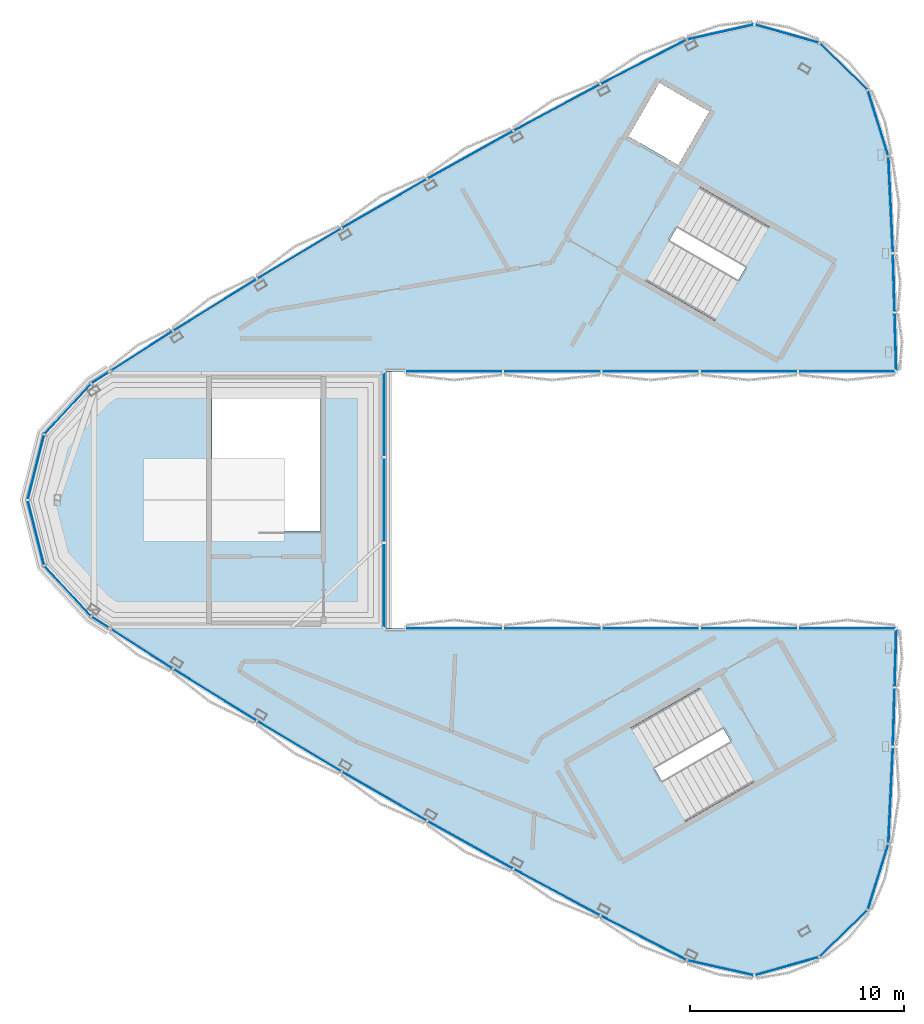
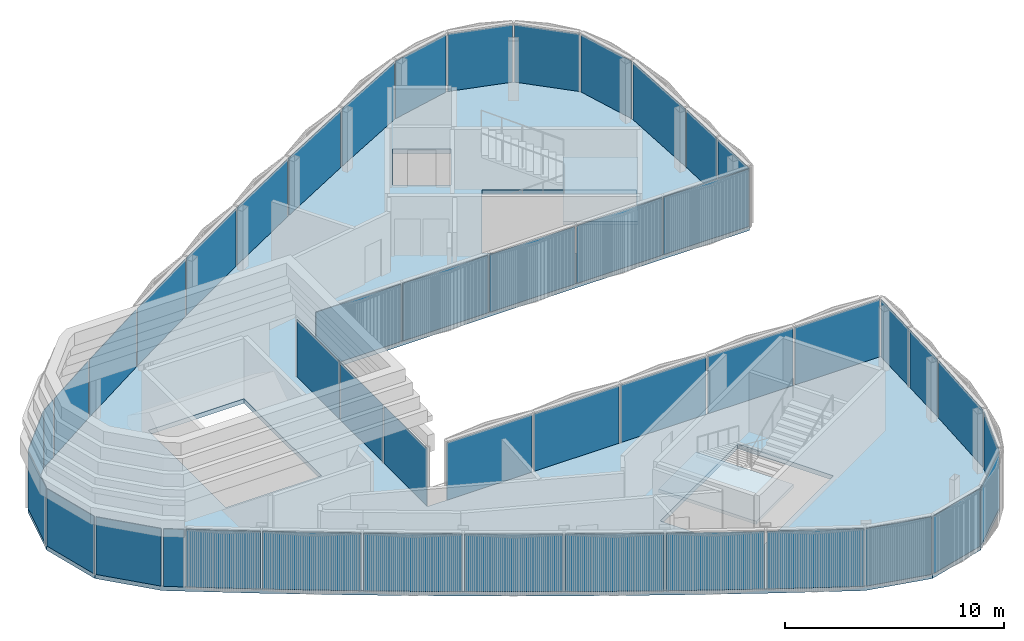
# One storey, part 5 of 16: 47 plates, 3 slabs, 5 elements without a shape of their own.
"""IFC4 building model written with IfcOpenShell, lengths in metres."""

from ifc_helpers import new_model, si_unit, direction, frame, origin, origin_2d, place, context, subcontext, project, spatial, polyline, rectangle, outline, extrude, material, layer, layer_set, type_object, element, aggregate, save


model = new_model("IFC4")

# Units and contexts
model_context = context("Model", 3, precision=1e-05, world=origin(), true_north=direction((0.0, 1.0)))
body_context = subcontext(model_context, "Body", "Model", "MODEL_VIEW")
ifc_project = project(units=[si_unit("LENGTHUNIT", "METRE"), si_unit("AREAUNIT", "SQUARE_METRE"), si_unit("VOLUMEUNIT", "CUBIC_METRE"), si_unit("PLANEANGLEUNIT", "RADIAN"), si_unit("MASSUNIT", "GRAM", prefix="KILO")], contexts=[model_context])

# Site, building, storey
site_placement = place(None, origin())
site = spatial("IfcSite", under=ifc_project, at=site_placement, CompositionType="ELEMENT")
building_placement = place(site_placement, origin())
building = spatial("IfcBuilding", under=site, at=building_placement, Name="Tamra Quay Hotel Tower", CompositionType="ELEMENT")
storey_placement = place(building_placement, frame((0.0, 0.0, 327.800048828125)))
storey = spatial("IfcBuildingStorey", under=building, at=storey_placement, Name="Roof crown 3", CompositionType="ELEMENT", Elevation=327.800048828125)

# Stair, slab
ifc_material_1 = material(Name="Exit stair 2200 24 risers 150.0 going 342")
stair_type = type_object("IfcStairType", Name="Exit stair 2200 24 risers 150.0 going 342", PredefinedType="HALF_TURN_STAIR", material=ifc_material_1)
stair_1_placement = place(storey_placement, origin())
stair_1 = element("IfcStair", 1, at=stair_1_placement, inside=storey, type_object=stair_type, Name="Roof crown 3 Exit stair ST1", PredefinedType="HALF_TURN_STAIR")
ifc_material_2 = material(Name="Concrete M70", Category="concrete")
ifc_layer_1 = layer(ifc_material_2, 0.175048828125)
ifc_layer_set_1 = layer_set([ifc_layer_1], Name="Concrete M70 stair landing 180")
slab_type_1 = type_object("IfcSlabType", Name="Concrete M70 stair landing 180", PredefinedType="LANDING", material=ifc_layer_set_1)
slab_1_placement = place(storey_placement, frame((0.0, 0.0, 1.625)))
slab_1 = element("IfcSlab", 2, at=slab_1_placement, type_object=slab_type_1, Name="ST1 landing 1", PredefinedType="LANDING", context=body_context, shape_type="SweptSolid", body=[
    extrude(outline(polyline([(7.425048828125, 8.336669921875), (10.385009765625, 6.627685546875), (12.964599609375, 11.095458984375), (10.00439453125, 12.804443359375), (7.425048828125, 8.336669921875)])), origin(), (0.0, 0.0, 1.0), 0.175048828125),
])
aggregate(stair_1, [slab_1])

stair_2_placement = place(storey_placement, origin())
stair_2 = element("IfcStair", 3, at=stair_2_placement, inside=storey, type_object=stair_type, Name="Roof crown 3 Exit stair ST2", PredefinedType="HALF_TURN_STAIR")
slab_2_placement = place(storey_placement, frame((0.0, 0.0, 1.625)))
slab_2 = element("IfcSlab", 4, at=slab_2_placement, type_object=slab_type_1, Name="ST2 landing 1", PredefinedType="LANDING", context=body_context, shape_type="SweptSolid", body=[
    extrude(outline(polyline([(3.50732421875, -10.5986328125), (0.547119140625, -12.3076171875), (3.126708984375, -16.775390625), (6.086669921875, -15.06640625), (3.50732421875, -10.5986328125)])), origin(), (0.0, 0.0, 1.0), 0.175048828125),
])
aggregate(stair_2, [slab_2])

# Slab
ifc_material_3 = material(Name="Concrete M60", Category="concrete")
ifc_layer_2 = layer(ifc_material_3, 0.25)
ifc_layer_set_2 = layer_set([ifc_layer_2], Name="FLOOR SLAB PT 250")
slab_type_2 = type_object("IfcSlabType", Name="FLOOR SLAB PT 250", PredefinedType="FLOOR", material=ifc_layer_set_2)
slab_3_placement = place(storey_placement, frame((0.0, 0.0, -0.25)))
element("IfcSlab", 5, at=slab_3_placement, inside=storey, type_object=slab_type_2, Name="SLAB-Roofcrown3", PredefinedType="FLOOR", context=body_context, shape_type="SweptSolid", body=[
    extrude(outline(polyline([(15.555419921875, -16.063720703125), (14.5908203125, -19.149169921875), (12.3271484375, -21.351318359375), (9.288330078125, -22.21044921875), (6.134033203125, -21.503173828125), (2.10009765625, -19.419677734375), (-1.96435546875, -17.239501953125), (-5.99462890625, -14.995849609375), (-9.989501953125, -12.689453125), (-13.947509765625, -10.321044921875), (-17.867919921875, -7.89111328125), (-20.815673828125, -6.0), (-21.689208984375, -5.439453125), (-23.879150390625, -3.061279296875), (-24.654296875, 0.0), (-23.879150390625, 3.061279296875), (-21.689208984375, 5.439453125), (-20.815673828125, 6.0), (-17.867919921875, 7.89111328125), (-13.947509765625, 10.321044921875), (-9.989501953125, 12.689453125), (-5.99462890625, 14.995849609375), (-1.96435546875, 17.239501953125), (2.10009765625, 19.419677734375), (6.134033203125, 21.503173828125), (9.288330078125, 22.21044921875), (12.3271484375, 21.351318359375), (14.5908203125, 19.149169921875), (15.555419921875, 16.063720703125), (15.767822265625, 11.528564453125), (15.912109375, 6.91845703125), (15.926513671875, 6.0), (-8.0, 6.0), (-8.0, -6.0), (15.926513671875, -6.0), (15.912109375, -6.91845703125), (15.767822265625, -11.528564453125), (15.555419921875, -16.063720703125)]), holes=[polyline([(9.2783203125, -13.160400390625), (6.75390625, -8.78759765625), (0.622314453125, -12.32763671875), (3.146728515625, -16.7001953125), (9.2783203125, -13.160400390625)]), polyline([(-16.036376953125, -1.455078125), (-10.9873046875, -1.455078125), (-10.9873046875, 5.625), (-16.036376953125, 5.625), (-16.036376953125, -1.455078125)]), polyline([(6.758056640625, 14.615478515625), (4.2333984375, 10.242919921875), (10.364990234375, 6.702880859375), (12.889404296875, 11.075439453125), (6.758056640625, 14.615478515625)]), polyline([(4.8515625, 19.4931640625), (3.406494140625, 16.990234375), (5.736083984375, 15.645263671875), (7.18115234375, 18.148193359375), (4.8515625, 19.4931640625)])]), origin(), (0.0, 0.0, 1.0), 0.25),
])

# Curtain wall, plates
ifc_material_4 = material(Name="Aluminium 6063 anodised dark grey", Category="aluminium")
curtain_wall_type = type_object("IfcCurtainWallType", Name="CW6 CURTAIN WALL", PredefinedType="NOTDEFINED", material=ifc_material_4)
curtain_wall_1_placement = place(storey_placement, origin())
curtain_wall_1 = element("IfcCurtainWall", 6, at=curtain_wall_1_placement, inside=storey, type_object=curtain_wall_type, Name="CW6 lantern A face Roof crown 3", PredefinedType="NOTDEFINED")
ifc_material_5 = material(Name="Glass clear laminated low-iron", Category="glass")
ifc_layer_3 = layer(ifc_material_5, 0.030029296875)
ifc_layer_set_3 = layer_set([ifc_layer_3], Name="GLASS PANEL CW6")
plate_type = type_object("IfcPlateType", Name="GLASS PANEL CW6", PredefinedType="CURTAIN_PANEL", material=ifc_layer_set_3)
plate_1_placement = place(storey_placement, frame((15.66162109375, 13.796142578125, 0.0), z_axis=(0.0, 0.0, 1.0), x_axis=(-0.046821305973, 0.998903281257, 0.0)))
plate_1 = element("IfcPlate", 7, at=plate_1_placement, type_object=plate_type, Name="CW6 glass Roof crown 3.A.1", PredefinedType="CURTAIN_PANEL", context=body_context, shape_type="SweptSolid", body=[
    extrude(rectangle(XDim=4.440185546875, YDim=0.030029296875, at=origin_2d()), origin(), (0.0, 0.0, 1.0), 3.2099609375),
])
plate_2_placement = place(storey_placement, frame((15.072998046875, 17.6064453125, 0.0), z_axis=(0.0, 0.0, 1.0), x_axis=(-0.29839239288, 0.954443282689, 0.0)))
plate_2 = element("IfcPlate", 8, at=plate_2_placement, type_object=plate_type, Name="CW6 glass Roof crown 3.A.2", PredefinedType="CURTAIN_PANEL", context=body_context, shape_type="SweptSolid", body=[
    extrude(rectangle(XDim=3.132568359375, YDim=0.030029296875, at=origin_2d()), origin(), (0.0, 0.0, 1.0), 3.2099609375),
])
plate_3_placement = place(storey_placement, frame((13.458984375, 20.250244140625, 0.0), z_axis=(0.0, 0.0, 1.0), x_axis=(-0.716752699854, 0.69732744622, 0.0)))
plate_3 = element("IfcPlate", 9, at=plate_3_placement, type_object=plate_type, Name="CW6 glass Roof crown 3.A.3", PredefinedType="CURTAIN_PANEL", context=body_context, shape_type="SweptSolid", body=[
    extrude(rectangle(XDim=3.05810546875, YDim=0.030029296875, at=origin_2d()), origin(), (0.0, 0.0, 1.0), 3.2099609375),
])
plate_4_placement = place(storey_placement, frame((10.807861328125, 21.781005859375, 0.0), z_axis=(0.0, 0.0, 1.0), x_axis=(-0.96227963311, 0.272062323195, 0.0)))
plate_4 = element("IfcPlate", 10, at=plate_4_placement, type_object=plate_type, Name="CW6 glass Roof crown 3.A.4", PredefinedType="CURTAIN_PANEL", context=body_context, shape_type="SweptSolid", body=[
    extrude(rectangle(XDim=3.05810546875, YDim=0.030029296875, at=origin_2d()), origin(), (0.0, 0.0, 1.0), 3.2099609375),
])
plate_5_placement = place(storey_placement, frame((7.711181640625, 21.85693359375, 0.0), z_axis=(0.0, 0.0, 1.0), x_axis=(-0.975768325721, -0.218806248814, 0.0)))
plate_5 = element("IfcPlate", 11, at=plate_5_placement, type_object=plate_type, Name="CW6 glass Roof crown 3.A.5", PredefinedType="CURTAIN_PANEL", context=body_context, shape_type="SweptSolid", body=[
    extrude(rectangle(XDim=3.132568359375, YDim=0.030029296875, at=origin_2d()), origin(), (0.0, 0.0, 1.0), 3.2099609375),
])
plate_6_placement = place(storey_placement, frame((4.116943359375, 20.46142578125, 0.0), z_axis=(0.0, 0.0, 1.0), x_axis=(-0.888486270479, -0.458903200218, 0.0)))
plate_6 = element("IfcPlate", 12, at=plate_6_placement, type_object=plate_type, Name="CW6 glass Roof crown 3.A.6", PredefinedType="CURTAIN_PANEL", context=body_context, shape_type="SweptSolid", body=[
    extrude(rectangle(XDim=4.440185546875, YDim=0.030029296875, at=origin_2d()), origin(), (0.0, 0.0, 1.0), 3.2099609375),
])
plate_7_placement = place(storey_placement, frame((0.06787109375, 18.32958984375, 0.0), z_axis=(0.0, 0.0, 1.0), x_axis=(-0.881223582111, -0.472699691486, 0.0)))
plate_7 = element("IfcPlate", 13, at=plate_7_placement, type_object=plate_type, Name="CW6 glass Roof crown 3.A.7", PredefinedType="CURTAIN_PANEL", context=body_context, shape_type="SweptSolid", body=[
    extrude(rectangle(XDim=4.51220703125, YDim=0.030029296875, at=origin_2d()), origin(), (0.0, 0.0, 1.0), 3.2099609375),
])
plate_8_placement = place(storey_placement, frame((-3.9794921875, 16.11767578125, 0.0), z_axis=(0.0, 0.0, 1.0), x_axis=(-0.873735522847, -0.486401311794, 0.0)))
plate_8 = element("IfcPlate", 14, at=plate_8_placement, type_object=plate_type, Name="CW6 glass Roof crown 3.A.8", PredefinedType="CURTAIN_PANEL", context=body_context, shape_type="SweptSolid", body=[
    extrude(rectangle(XDim=4.5126953125, YDim=0.030029296875, at=origin_2d()), origin(), (0.0, 0.0, 1.0), 3.2099609375),
])
plate_9_placement = place(storey_placement, frame((-7.991943359375, 13.842529296875, 0.0), z_axis=(0.0, 0.0, 1.0), x_axis=(-0.866025403784, -0.5, 0.0)))
plate_9 = element("IfcPlate", 15, at=plate_9_placement, type_object=plate_type, Name="CW6 glass Roof crown 3.A.9", PredefinedType="CURTAIN_PANEL", context=body_context, shape_type="SweptSolid", body=[
    extrude(rectangle(XDim=4.5126953125, YDim=0.030029296875, at=origin_2d()), origin(), (0.0, 0.0, 1.0), 3.2099609375),
])
plate_10_placement = place(storey_placement, frame((-11.968505859375, 11.505126953125, 0.0), z_axis=(0.0, 0.0, 1.0), x_axis=(-0.858103653871, -0.513476503078, 0.0)))
plate_10 = element("IfcPlate", 16, at=plate_10_placement, type_object=plate_type, Name="CW6 glass Roof crown 3.A.10", PredefinedType="CURTAIN_PANEL", context=body_context, shape_type="SweptSolid", body=[
    extrude(rectangle(XDim=4.5126953125, YDim=0.030029296875, at=origin_2d()), origin(), (0.0, 0.0, 1.0), 3.2099609375),
])
plate_11_placement = place(storey_placement, frame((-15.90771484375, 9.10595703125, 0.0), z_axis=(0.0, 0.0, 1.0), x_axis=(-0.849981732244, -0.526812162779, 0.0)))
plate_11 = element("IfcPlate", 17, at=plate_11_placement, type_object=plate_type, Name="CW6 glass Roof crown 3.A.11", PredefinedType="CURTAIN_PANEL", context=body_context, shape_type="SweptSolid", body=[
    extrude(rectangle(XDim=4.51220703125, YDim=0.030029296875, at=origin_2d()), origin(), (0.0, 0.0, 1.0), 3.2099609375),
])
plate_12_placement = place(storey_placement, frame((-19.341796875, 6.945556640625, 0.0), z_axis=(0.0, 0.0, 1.0), x_axis=(-0.841664964506, -0.54000008104, 0.0)))
plate_12 = element("IfcPlate", 18, at=plate_12_placement, type_object=plate_type, Name="CW6 glass Roof crown 3.A.12", PredefinedType="CURTAIN_PANEL", context=body_context, shape_type="SweptSolid", body=[
    extrude(rectangle(XDim=3.402099609375, YDim=0.030029296875, at=origin_2d()), origin(), (0.0, 0.0, 1.0), 3.2099609375),
])
plate_13_placement = place(storey_placement, frame((-4.740966796875, 6.0, 0.0), z_axis=(0.0, 0.0, 1.0), x_axis=(1.0, 0.0, 0.0)))
plate_13 = element("IfcPlate", 19, at=plate_13_placement, type_object=plate_type, Name="CW6 glass Roof crown 3.A.13", PredefinedType="CURTAIN_PANEL", context=body_context, shape_type="SweptSolid", body=[
    extrude(rectangle(XDim=4.49267578125, YDim=0.030029296875, at=origin_2d()), origin(), (0.0, 0.0, 1.0), 3.2099609375),
])
plate_14_placement = place(storey_placement, frame((-0.148193359375, 6.0, 0.0), z_axis=(0.0, 0.0, 1.0), x_axis=(1.0, 0.0, 0.0)))
plate_14 = element("IfcPlate", 20, at=plate_14_placement, type_object=plate_type, Name="CW6 glass Roof crown 3.A.14", PredefinedType="CURTAIN_PANEL", context=body_context, shape_type="SweptSolid", body=[
    extrude(rectangle(XDim=4.49267578125, YDim=0.030029296875, at=origin_2d()), origin(), (0.0, 0.0, 1.0), 3.2099609375),
])
plate_15_placement = place(storey_placement, frame((4.444580078125, 6.0, 0.0), z_axis=(0.0, 0.0, 1.0), x_axis=(1.0, 0.0, 0.0)))
plate_15 = element("IfcPlate", 21, at=plate_15_placement, type_object=plate_type, Name="CW6 glass Roof crown 3.A.15", PredefinedType="CURTAIN_PANEL", context=body_context, shape_type="SweptSolid", body=[
    extrude(rectangle(XDim=4.49267578125, YDim=0.030029296875, at=origin_2d()), origin(), (0.0, 0.0, 1.0), 3.2099609375),
])
plate_16_placement = place(storey_placement, frame((9.037353515625, 6.0, 0.0), z_axis=(0.0, 0.0, 1.0), x_axis=(1.0, 0.0, 0.0)))
plate_16 = element("IfcPlate", 22, at=plate_16_placement, type_object=plate_type, Name="CW6 glass Roof crown 3.A.16", PredefinedType="CURTAIN_PANEL", context=body_context, shape_type="SweptSolid", body=[
    extrude(rectangle(XDim=4.49267578125, YDim=0.030029296875, at=origin_2d()), origin(), (0.0, 0.0, 1.0), 3.2099609375),
])
plate_17_placement = place(storey_placement, frame((13.6298828125, 6.0, 0.0), z_axis=(0.0, 0.0, 1.0), x_axis=(1.0, 0.0, 0.0)))
plate_17 = element("IfcPlate", 23, at=plate_17_placement, type_object=plate_type, Name="CW6 glass Roof crown 3.A.17", PredefinedType="CURTAIN_PANEL", context=body_context, shape_type="SweptSolid", body=[
    extrude(rectangle(XDim=4.49267578125, YDim=0.030029296875, at=origin_2d()), origin(), (0.0, 0.0, 1.0), 3.2099609375),
])
plate_18_placement = place(storey_placement, frame((15.88671875, 7.382080078125, 0.0), z_axis=(0.0, 0.0, 1.0), x_axis=(-0.028649831581, 0.999589509324, 0.0)))
plate_18 = element("IfcPlate", 24, at=plate_18_placement, type_object=plate_type, Name="CW6 glass Roof crown 3.A.18", PredefinedType="CURTAIN_PANEL", context=body_context, shape_type="SweptSolid", body=[
    extrude(rectangle(XDim=2.665283203125, YDim=0.030029296875, at=origin_2d()), origin(), (0.0, 0.0, 1.0), 3.2099609375),
])
plate_19_placement = place(storey_placement, frame((15.8076171875, 10.146484375, 0.0), z_axis=(0.0, 0.0, 1.0), x_axis=(-0.028649831581, 0.999589509324, 0.0)))
plate_19 = element("IfcPlate", 25, at=plate_19_placement, type_object=plate_type, Name="CW6 glass Roof crown 3.A.19", PredefinedType="CURTAIN_PANEL", context=body_context, shape_type="SweptSolid", body=[
    extrude(rectangle(XDim=2.665283203125, YDim=0.030029296875, at=origin_2d()), origin(), (0.0, 0.0, 1.0), 3.2099609375),
])
aggregate(curtain_wall_1, [plate_1, plate_2, plate_3, plate_4, plate_5, plate_6, plate_7, plate_8, plate_9, plate_10, plate_11, plate_12, plate_13, plate_14, plate_15, plate_16, plate_17, plate_18, plate_19])

curtain_wall_2_placement = place(storey_placement, origin())
curtain_wall_2 = element("IfcCurtainWall", 26, at=curtain_wall_2_placement, inside=storey, type_object=curtain_wall_type, Name="CW6 lantern B face Roof crown 3", PredefinedType="NOTDEFINED")
plate_20_placement = place(storey_placement, frame((13.6298828125, -6.0, 0.0), z_axis=(0.0, 0.0, 1.0), x_axis=(-1.0, 0.0, 0.0)))
plate_20 = element("IfcPlate", 27, at=plate_20_placement, type_object=plate_type, Name="CW6 glass Roof crown 3.B.1", PredefinedType="CURTAIN_PANEL", context=body_context, shape_type="SweptSolid", body=[
    extrude(rectangle(XDim=4.49267578125, YDim=0.030029296875, at=origin_2d()), origin(), (0.0, 0.0, 1.0), 3.2099609375),
])
plate_21_placement = place(storey_placement, frame((9.037353515625, -6.0, 0.0), z_axis=(0.0, 0.0, 1.0), x_axis=(-1.0, 0.0, 0.0)))
plate_21 = element("IfcPlate", 28, at=plate_21_placement, type_object=plate_type, Name="CW6 glass Roof crown 3.B.2", PredefinedType="CURTAIN_PANEL", context=body_context, shape_type="SweptSolid", body=[
    extrude(rectangle(XDim=4.49267578125, YDim=0.030029296875, at=origin_2d()), origin(), (0.0, 0.0, 1.0), 3.2099609375),
])
plate_22_placement = place(storey_placement, frame((4.444580078125, -6.0, 0.0), z_axis=(0.0, 0.0, 1.0), x_axis=(-1.0, 0.0, 0.0)))
plate_22 = element("IfcPlate", 29, at=plate_22_placement, type_object=plate_type, Name="CW6 glass Roof crown 3.B.3", PredefinedType="CURTAIN_PANEL", context=body_context, shape_type="SweptSolid", body=[
    extrude(rectangle(XDim=4.49267578125, YDim=0.030029296875, at=origin_2d()), origin(), (0.0, 0.0, 1.0), 3.2099609375),
])
plate_23_placement = place(storey_placement, frame((-0.148193359375, -6.0, 0.0), z_axis=(0.0, 0.0, 1.0), x_axis=(-1.0, 0.0, 0.0)))
plate_23 = element("IfcPlate", 30, at=plate_23_placement, type_object=plate_type, Name="CW6 glass Roof crown 3.B.4", PredefinedType="CURTAIN_PANEL", context=body_context, shape_type="SweptSolid", body=[
    extrude(rectangle(XDim=4.49267578125, YDim=0.030029296875, at=origin_2d()), origin(), (0.0, 0.0, 1.0), 3.2099609375),
])
plate_24_placement = place(storey_placement, frame((-4.740966796875, -6.0, 0.0), z_axis=(0.0, 0.0, 1.0), x_axis=(-1.0, 0.0, 0.0)))
plate_24 = element("IfcPlate", 31, at=plate_24_placement, type_object=plate_type, Name="CW6 glass Roof crown 3.B.5", PredefinedType="CURTAIN_PANEL", context=body_context, shape_type="SweptSolid", body=[
    extrude(rectangle(XDim=4.49267578125, YDim=0.030029296875, at=origin_2d()), origin(), (0.0, 0.0, 1.0), 3.2099609375),
])
plate_25_placement = place(storey_placement, frame((-19.341796875, -6.945556640625, 0.0), z_axis=(0.0, 0.0, 1.0), x_axis=(0.841664964506, -0.54000008104, 0.0)))
plate_25 = element("IfcPlate", 32, at=plate_25_placement, type_object=plate_type, Name="CW6 glass Roof crown 3.B.6", PredefinedType="CURTAIN_PANEL", context=body_context, shape_type="SweptSolid", body=[
    extrude(rectangle(XDim=3.402099609375, YDim=0.030029296875, at=origin_2d()), origin(), (0.0, 0.0, 1.0), 3.2099609375),
])
plate_26_placement = place(storey_placement, frame((-15.90771484375, -9.10595703125, 0.0), z_axis=(0.0, 0.0, 1.0), x_axis=(0.849981732244, -0.526812162779, 0.0)))
plate_26 = element("IfcPlate", 33, at=plate_26_placement, type_object=plate_type, Name="CW6 glass Roof crown 3.B.7", PredefinedType="CURTAIN_PANEL", context=body_context, shape_type="SweptSolid", body=[
    extrude(rectangle(XDim=4.51220703125, YDim=0.030029296875, at=origin_2d()), origin(), (0.0, 0.0, 1.0), 3.2099609375),
])
plate_27_placement = place(storey_placement, frame((-11.968505859375, -11.505126953125, 0.0), z_axis=(0.0, 0.0, 1.0), x_axis=(0.858103653871, -0.513476503078, 0.0)))
plate_27 = element("IfcPlate", 34, at=plate_27_placement, type_object=plate_type, Name="CW6 glass Roof crown 3.B.8", PredefinedType="CURTAIN_PANEL", context=body_context, shape_type="SweptSolid", body=[
    extrude(rectangle(XDim=4.5126953125, YDim=0.030029296875, at=origin_2d()), origin(), (0.0, 0.0, 1.0), 3.2099609375),
])
plate_28_placement = place(storey_placement, frame((-7.991943359375, -13.842529296875, 0.0), z_axis=(0.0, 0.0, 1.0), x_axis=(0.866025403784, -0.5, 0.0)))
plate_28 = element("IfcPlate", 35, at=plate_28_placement, type_object=plate_type, Name="CW6 glass Roof crown 3.B.9", PredefinedType="CURTAIN_PANEL", context=body_context, shape_type="SweptSolid", body=[
    extrude(rectangle(XDim=4.5126953125, YDim=0.030029296875, at=origin_2d()), origin(), (0.0, 0.0, 1.0), 3.2099609375),
])
plate_29_placement = place(storey_placement, frame((-3.9794921875, -16.11767578125, 0.0), z_axis=(0.0, 0.0, 1.0), x_axis=(0.873735522847, -0.486401311794, 0.0)))
plate_29 = element("IfcPlate", 36, at=plate_29_placement, type_object=plate_type, Name="CW6 glass Roof crown 3.B.10", PredefinedType="CURTAIN_PANEL", context=body_context, shape_type="SweptSolid", body=[
    extrude(rectangle(XDim=4.5126953125, YDim=0.030029296875, at=origin_2d()), origin(), (0.0, 0.0, 1.0), 3.2099609375),
])
plate_30_placement = place(storey_placement, frame((0.06787109375, -18.32958984375, 0.0), z_axis=(0.0, 0.0, 1.0), x_axis=(0.881223582111, -0.472699691486, 0.0)))
plate_30 = element("IfcPlate", 37, at=plate_30_placement, type_object=plate_type, Name="CW6 glass Roof crown 3.B.11", PredefinedType="CURTAIN_PANEL", context=body_context, shape_type="SweptSolid", body=[
    extrude(rectangle(XDim=4.51220703125, YDim=0.030029296875, at=origin_2d()), origin(), (0.0, 0.0, 1.0), 3.2099609375),
])
plate_31_placement = place(storey_placement, frame((4.116943359375, -20.46142578125, 0.0), z_axis=(0.0, 0.0, 1.0), x_axis=(0.888486270479, -0.458903200218, 0.0)))
plate_31 = element("IfcPlate", 38, at=plate_31_placement, type_object=plate_type, Name="CW6 glass Roof crown 3.B.12", PredefinedType="CURTAIN_PANEL", context=body_context, shape_type="SweptSolid", body=[
    extrude(rectangle(XDim=4.440185546875, YDim=0.030029296875, at=origin_2d()), origin(), (0.0, 0.0, 1.0), 3.2099609375),
])
plate_32_placement = place(storey_placement, frame((7.711181640625, -21.85693359375, 0.0), z_axis=(0.0, 0.0, 1.0), x_axis=(0.975768325721, -0.218806248814, 0.0)))
plate_32 = element("IfcPlate", 39, at=plate_32_placement, type_object=plate_type, Name="CW6 glass Roof crown 3.B.13", PredefinedType="CURTAIN_PANEL", context=body_context, shape_type="SweptSolid", body=[
    extrude(rectangle(XDim=3.132568359375, YDim=0.030029296875, at=origin_2d()), origin(), (0.0, 0.0, 1.0), 3.2099609375),
])
plate_33_placement = place(storey_placement, frame((10.807861328125, -21.781005859375, 0.0), z_axis=(0.0, 0.0, 1.0), x_axis=(0.96227963311, 0.272062323195, 0.0)))
plate_33 = element("IfcPlate", 40, at=plate_33_placement, type_object=plate_type, Name="CW6 glass Roof crown 3.B.14", PredefinedType="CURTAIN_PANEL", context=body_context, shape_type="SweptSolid", body=[
    extrude(rectangle(XDim=3.05810546875, YDim=0.030029296875, at=origin_2d()), origin(), (0.0, 0.0, 1.0), 3.2099609375),
])
plate_34_placement = place(storey_placement, frame((13.458984375, -20.250244140625, 0.0), z_axis=(0.0, 0.0, 1.0), x_axis=(0.716752699854, 0.69732744622, 0.0)))
plate_34 = element("IfcPlate", 41, at=plate_34_placement, type_object=plate_type, Name="CW6 glass Roof crown 3.B.15", PredefinedType="CURTAIN_PANEL", context=body_context, shape_type="SweptSolid", body=[
    extrude(rectangle(XDim=3.05810546875, YDim=0.030029296875, at=origin_2d()), origin(), (0.0, 0.0, 1.0), 3.2099609375),
])
plate_35_placement = place(storey_placement, frame((15.072998046875, -17.6064453125, 0.0), z_axis=(0.0, 0.0, 1.0), x_axis=(0.29839239288, 0.954443282689, 0.0)))
plate_35 = element("IfcPlate", 42, at=plate_35_placement, type_object=plate_type, Name="CW6 glass Roof crown 3.B.16", PredefinedType="CURTAIN_PANEL", context=body_context, shape_type="SweptSolid", body=[
    extrude(rectangle(XDim=3.132568359375, YDim=0.030029296875, at=origin_2d()), origin(), (0.0, 0.0, 1.0), 3.2099609375),
])
plate_36_placement = place(storey_placement, frame((15.66162109375, -13.796142578125, 0.0), z_axis=(0.0, 0.0, 1.0), x_axis=(0.046821305973, 0.998903281257, 0.0)))
plate_36 = element("IfcPlate", 43, at=plate_36_placement, type_object=plate_type, Name="CW6 glass Roof crown 3.B.17", PredefinedType="CURTAIN_PANEL", context=body_context, shape_type="SweptSolid", body=[
    extrude(rectangle(XDim=4.440185546875, YDim=0.030029296875, at=origin_2d()), origin(), (0.0, 0.0, 1.0), 3.2099609375),
])
plate_37_placement = place(storey_placement, frame((15.8076171875, -10.146484375, 0.0), z_axis=(0.0, 0.0, 1.0), x_axis=(0.028649831581, 0.999589509324, 0.0)))
plate_37 = element("IfcPlate", 44, at=plate_37_placement, type_object=plate_type, Name="CW6 glass Roof crown 3.B.18", PredefinedType="CURTAIN_PANEL", context=body_context, shape_type="SweptSolid", body=[
    extrude(rectangle(XDim=2.665283203125, YDim=0.030029296875, at=origin_2d()), origin(), (0.0, 0.0, 1.0), 3.2099609375),
])
plate_38_placement = place(storey_placement, frame((15.88671875, -7.382080078125, 0.0), z_axis=(0.0, 0.0, 1.0), x_axis=(0.028649831581, 0.999589509324, 0.0)))
plate_38 = element("IfcPlate", 45, at=plate_38_placement, type_object=plate_type, Name="CW6 glass Roof crown 3.B.19", PredefinedType="CURTAIN_PANEL", context=body_context, shape_type="SweptSolid", body=[
    extrude(rectangle(XDim=2.665283203125, YDim=0.030029296875, at=origin_2d()), origin(), (0.0, 0.0, 1.0), 3.2099609375),
])
aggregate(curtain_wall_2, [plate_20, plate_21, plate_22, plate_23, plate_24, plate_25, plate_26, plate_27, plate_28, plate_29, plate_30, plate_31, plate_32, plate_33, plate_34, plate_35, plate_36, plate_37, plate_38])

curtain_wall_3_placement = place(storey_placement, origin())
curtain_wall_3 = element("IfcCurtainWall", 46, at=curtain_wall_3_placement, inside=storey, type_object=curtain_wall_type, Name="CW6 lantern C face Roof crown 3", PredefinedType="NOTDEFINED")
plate_39_placement = place(storey_placement, frame((-21.25244140625, -5.7197265625, 0.0), z_axis=(0.0, 0.0, 1.0), x_axis=(0.841664964506, -0.54000008104, 0.0)))
plate_39 = element("IfcPlate", 47, at=plate_39_placement, type_object=plate_type, Name="CW6 glass Roof crown 3.C.1", PredefinedType="CURTAIN_PANEL", context=body_context, shape_type="SweptSolid", body=[
    extrude(rectangle(XDim=0.938232421875, YDim=0.030029296875, at=origin_2d()), origin(), (0.0, 0.0, 1.0), 3.2099609375),
])
plate_40_placement = place(storey_placement, frame((-8.0, -4.0, 0.0), z_axis=(0.0, 0.0, 1.0), x_axis=(0.0, 1.0, 0.0)))
plate_40 = element("IfcPlate", 48, at=plate_40_placement, type_object=plate_type, Name="CW6 glass Roof crown 3.C.2", PredefinedType="CURTAIN_PANEL", context=body_context, shape_type="SweptSolid", body=[
    extrude(rectangle(XDim=3.89990234375, YDim=0.030029296875, at=origin_2d()), origin(), (0.0, 0.0, 1.0), 3.2099609375),
])
plate_41_placement = place(storey_placement, frame((-8.0, 0.0, 0.0), z_axis=(0.0, 0.0, 1.0), x_axis=(0.0, 1.0, 0.0)))
plate_41 = element("IfcPlate", 49, at=plate_41_placement, type_object=plate_type, Name="CW6 glass Roof crown 3.C.3", PredefinedType="CURTAIN_PANEL", context=body_context, shape_type="SweptSolid", body=[
    extrude(rectangle(XDim=3.89990234375, YDim=0.030029296875, at=origin_2d()), origin(), (0.0, 0.0, 1.0), 3.2099609375),
])
plate_42_placement = place(storey_placement, frame((-8.0, 4.0, 0.0), z_axis=(0.0, 0.0, 1.0), x_axis=(0.0, 1.0, 0.0)))
plate_42 = element("IfcPlate", 50, at=plate_42_placement, type_object=plate_type, Name="CW6 glass Roof crown 3.C.4", PredefinedType="CURTAIN_PANEL", context=body_context, shape_type="SweptSolid", body=[
    extrude(rectangle(XDim=3.89990234375, YDim=0.030029296875, at=origin_2d()), origin(), (0.0, 0.0, 1.0), 3.2099609375),
])
plate_43_placement = place(storey_placement, frame((-21.25244140625, 5.7197265625, 0.0), z_axis=(0.0, 0.0, 1.0), x_axis=(-0.841664964506, -0.54000008104, 0.0)))
plate_43 = element("IfcPlate", 51, at=plate_43_placement, type_object=plate_type, Name="CW6 glass Roof crown 3.C.5", PredefinedType="CURTAIN_PANEL", context=body_context, shape_type="SweptSolid", body=[
    extrude(rectangle(XDim=0.938232421875, YDim=0.030029296875, at=origin_2d()), origin(), (0.0, 0.0, 1.0), 3.2099609375),
])
plate_44_placement = place(storey_placement, frame((-22.7841796875, 4.25048828125, 0.0), z_axis=(0.0, 0.0, 1.0), x_axis=(-0.67737593284, -0.735637033875, 0.0)))
plate_44 = element("IfcPlate", 52, at=plate_44_placement, type_object=plate_type, Name="CW6 glass Roof crown 3.C.6", PredefinedType="CURTAIN_PANEL", context=body_context, shape_type="SweptSolid", body=[
    extrude(rectangle(XDim=3.132568359375, YDim=0.030029296875, at=origin_2d()), origin(), (0.0, 0.0, 1.0), 3.2099609375),
])
plate_45_placement = place(storey_placement, frame((-24.266845703125, 1.53076171875, 0.0), z_axis=(0.0, 0.0, 1.0), x_axis=(-0.245526933255, -0.969389769415, 0.0)))
plate_45 = element("IfcPlate", 53, at=plate_45_placement, type_object=plate_type, Name="CW6 glass Roof crown 3.C.7", PredefinedType="CURTAIN_PANEL", context=body_context, shape_type="SweptSolid", body=[
    extrude(rectangle(XDim=3.05810546875, YDim=0.030029296875, at=origin_2d()), origin(), (0.0, 0.0, 1.0), 3.2099609375),
])
plate_46_placement = place(storey_placement, frame((-24.266845703125, -1.53076171875, 0.0), z_axis=(0.0, 0.0, 1.0), x_axis=(0.245526933255, -0.969389769415, 0.0)))
plate_46 = element("IfcPlate", 54, at=plate_46_placement, type_object=plate_type, Name="CW6 glass Roof crown 3.C.8", PredefinedType="CURTAIN_PANEL", context=body_context, shape_type="SweptSolid", body=[
    extrude(rectangle(XDim=3.05810546875, YDim=0.030029296875, at=origin_2d()), origin(), (0.0, 0.0, 1.0), 3.2099609375),
])
plate_47_placement = place(storey_placement, frame((-22.7841796875, -4.25048828125, 0.0), z_axis=(0.0, 0.0, 1.0), x_axis=(0.67737593284, -0.735637033875, 0.0)))
plate_47 = element("IfcPlate", 55, at=plate_47_placement, type_object=plate_type, Name="CW6 glass Roof crown 3.C.9", PredefinedType="CURTAIN_PANEL", context=body_context, shape_type="SweptSolid", body=[
    extrude(rectangle(XDim=3.132568359375, YDim=0.030029296875, at=origin_2d()), origin(), (0.0, 0.0, 1.0), 3.2099609375),
])
aggregate(curtain_wall_3, [plate_39, plate_40, plate_41, plate_42, plate_43, plate_44, plate_45, plate_46, plate_47])

save(model, "model.ifc")
